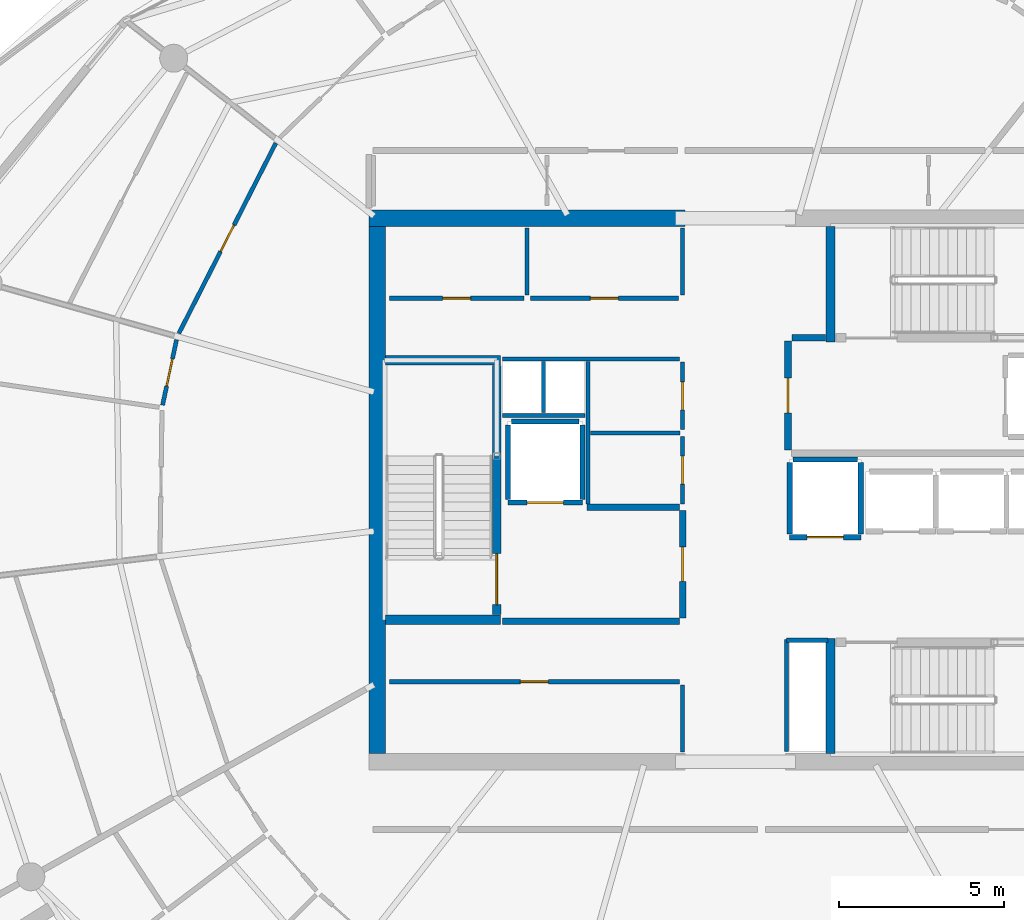
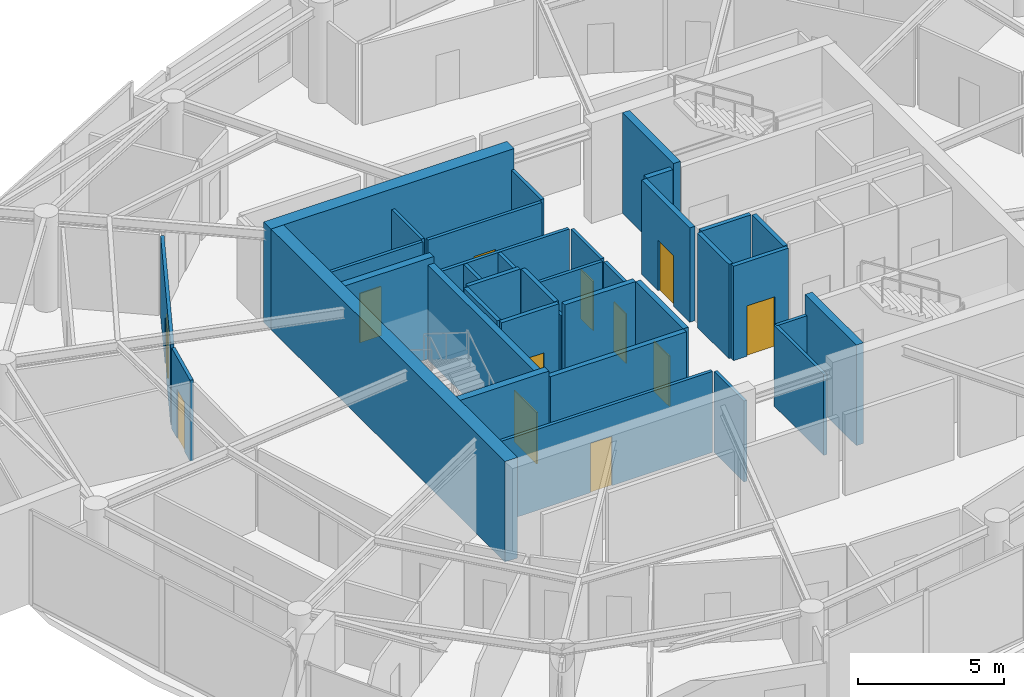
# One storey, part 11 of 20: 37 walls, 12 doors, 12 openings.
"""IFC4 building model written with IfcOpenShell, lengths in metres."""

from ifc_helpers import new_model, si_unit, direction, frame, frame_2d, origin, place, context, subcontext, project, spatial, rectangle, extrude, material, layer, layer_set, type_object, element, fill, save


model = new_model("IFC4")

# Units and contexts
model_context = context("Model", 3, precision=1e-05, world=origin(), true_north=direction((0.0, 1.0)))
body_context = subcontext(model_context, "Body", "Model", "MODEL_VIEW")
ifc_project = project(units=[si_unit("LENGTHUNIT", "METRE"), si_unit("AREAUNIT", "SQUARE_METRE"), si_unit("VOLUMEUNIT", "CUBIC_METRE"), si_unit("PLANEANGLEUNIT", "RADIAN"), si_unit("MASSUNIT", "GRAM", prefix="KILO")], contexts=[model_context])

# Site, building, storey
site_placement = place(None, origin())
site = spatial("IfcSite", under=ifc_project, at=site_placement, CompositionType="ELEMENT")
building_placement = place(site_placement, origin())
building = spatial("IfcBuilding", under=site, at=building_placement, Name="Kazma Halo Residences", CompositionType="ELEMENT")
storey_placement = place(building_placement, frame((0.0, 0.0, 317.89990234375)))
storey = spatial("IfcBuildingStorey", under=building, at=storey_placement, Name="L80", CompositionType="ELEMENT", Elevation=317.89990234375)

# Walls
ifc_material_1 = material(Name="Concrete C60/75", Category="concrete")
ifc_layer_1 = layer(ifc_material_1, 0.5)
ifc_layer_set_1 = layer_set([ifc_layer_1], Name="Concrete C60/75")
wall_type_1 = type_object("IfcWallType", Name="WL-CORE-500", PredefinedType="SHEAR", material=ifc_layer_set_1)
wall_1_placement = place(storey_placement, frame((37.300048828125, 50.25, 0.0), z_axis=(0.0, 0.0, 1.0), x_axis=(1.0, 0.0, 0.0)))
element("IfcWall", 1, at=wall_1_placement, inside=storey, type_object=wall_type_1, Name="L80 central core shear wall NW", PredefinedType="SHEAR", context=body_context, shape_type="SweptSolid", body=[
    extrude(rectangle(XDim=9.599853515625, YDim=0.5, at=frame_2d((4.7998046875, 0.0))), origin(), (0.0, 0.0, 1.0), 4.2001953125),
])
wall_2_placement = place(storey_placement, frame((37.550048828125, 34.0, 0.0), z_axis=(0.0, 0.0, 1.0), x_axis=(0.0, 1.0, 0.0)))
element("IfcWall", 2, at=wall_2_placement, inside=storey, type_object=wall_type_1, Name="L80 central core shear wall W", PredefinedType="SHEAR", context=body_context, shape_type="SweptSolid", body=[
    extrude(rectangle(XDim=16.0, YDim=0.5, at=frame_2d((8.0, 0.0))), origin(), (0.0, 0.0, 1.0), 4.2001953125),
])
ifc_layer_2 = layer(ifc_material_1, 0.280029296875)
ifc_layer_set_2 = layer_set([ifc_layer_2], Name="Concrete C60/75")
wall_type_2 = type_object("IfcWallType", Name="WL-CORE-ST-280", PredefinedType="SHEAR", material=ifc_layer_set_2)
for number, where, z_axis, x_axis, name in (
    (3, (37.800048828125, 38.06005859375, 0.0), (0.0, 0.0, 1.0), (1.0, 0.0, 0.0), "L80 stairwell bearing wall ST01-S"),
    (4, (37.800048828125, 45.93994140625, 0.0), (0.0, 0.0, 1.0), (1.0, 0.0, 0.0), "L80 stairwell bearing wall ST01-N"),
    (5, (51.31005859375, 46.5, 0.0), (0.0, 0.0, 1.0), (0.0, 1.0, 0.0), "L80 stairwell bearing wall ST02-W"),
    (6, (51.31005859375, 34.0, 0.0), (0.0, 0.0, 1.0), (0.0, 1.0, 0.0), "L80 stairwell bearing wall ST03-W"),
):
    element("IfcWall", number, at=place(storey_placement, frame(where, z_axis=z_axis, x_axis=x_axis)), inside=storey, type_object=wall_type_2, Name=name, PredefinedType="SHEAR", context=body_context, shape_type="SweptSolid", body=[
        extrude(rectangle(XDim=3.5, YDim=0.280029296875, at=frame_2d((1.75, 0.0))), origin(), (0.0, 0.0, 1.0), 4.2001953125),
    ])

# Wall, opening, door
ifc_material_2 = material(Name="Fire-Rated Blockwork Masonry", Category="masonry")
ifc_layer_3 = layer(ifc_material_2, 0.199951171875)
ifc_layer_set_3 = layer_set([ifc_layer_3], Name="Fire-Rated Blockwork Masonry")
wall_type_3 = type_object("IfcWallType", Name="WL-FLB-200", PredefinedType="PARTITIONING", material=ifc_layer_set_3)
wall_3_placement = place(storey_placement, frame((43.780029296875, 41.6201171875, 0.0), z_axis=(0.0, 0.0, 1.0), x_axis=(-1.0, 0.0, 0.0)))
wall_3 = element("IfcWall", 7, at=wall_3_placement, inside=storey, type_object=wall_type_3, Name="L80 lift shaft FL-01 front wall", PredefinedType="PARTITIONING", context=body_context, shape_type="SweptSolid", body=[
    extrude(rectangle(XDim=2.260009765625, YDim=0.159912109375, at=frame_2d((1.1298828125, 0.0))), origin(), (0.0, 0.0, 1.0), 3.940185546875),
])
opening_1_placement = place(wall_3_placement, frame((0.580078125, 0.0, 0.0)))
opening_1 = element("IfcOpeningElement", 8, at=opening_1_placement, cuts=wall_3, Name="Opening LD-FL-01", PredefinedType="OPENING", context=body_context, shape_type="SweptSolid", body=[
    extrude(rectangle(XDim=1.10009765625, YDim=2.10009765625, at=frame_2d((0.550048828125, 1.050048828125))), frame((0.0, 0.08984375, 0.0), z_axis=(0.0, -1.0, 0.0), x_axis=(1.0, 0.0, 0.0)), (0.0, 0.0, 1.0), 0.179931640625),
])
ifc_material_3 = material(Name="Stainless Steel Fire-Rated", Category="steel")
door_type_1 = type_object("IfcDoorType", Name="DR-LIFT-SLD-1100", OperationType="DOUBLE_DOOR_SLIDING", PredefinedType="DOOR", material=ifc_material_3)
door_1_placement = place(opening_1_placement, origin())
door_1 = element("IfcDoor", 9, at=door_1_placement, inside=storey, type_object=door_type_1, Name="L80 lift FL-01 sliding landing door", OperationType="DOUBLE_DOOR_SLIDING", OverallHeight=2.10009765625, OverallWidth=1.10009765625, PredefinedType="DOOR", context=body_context, shape_type="SweptSolid", body=[
    extrude(rectangle(XDim=1.10009765625, YDim=2.10009765625, at=frame_2d((0.550048828125, 1.050048828125))), frame((0.0, 0.02490234375, 0.0), z_axis=(0.0, -1.0, 0.0), x_axis=(1.0, 0.0, 0.0)), (0.0, 0.0, 1.0), 0.050048828125),
])
fill(opening_1, door_1)

# Walls
for number, where, z_axis, x_axis, name in (
    (10, (43.780029296875, 41.719970703125, 0.0), (0.0, 0.0, 1.0), (0.0, 1.0, 0.0), "L80 lift shaft FL-01 side wall E"),
    (11, (41.52001953125, 41.719970703125, 0.0), (0.0, 0.0, 1.0), (0.0, 1.0, 0.0), "L80 lift shaft FL-01 side wall W"),
):
    element("IfcWall", number, at=place(storey_placement, frame(where, z_axis=z_axis, x_axis=x_axis)), inside=storey, type_object=wall_type_3, Name=name, PredefinedType="PARTITIONING", context=body_context, shape_type="SweptSolid", body=[
        extrude(rectangle(XDim=2.260009765625, YDim=0.159912109375, at=frame_2d((1.1298828125, 0.0))), origin(), (0.0, 0.0, 1.0), 3.940185546875),
    ])
wall_4_placement = place(storey_placement, frame((41.6201171875, 44.080078125, 0.0), z_axis=(0.0, 0.0, 1.0), x_axis=(1.0, 0.0, 0.0)))
element("IfcWall", 12, at=wall_4_placement, inside=storey, type_object=wall_type_3, Name="L80 lift shaft FL-01 side wall N", PredefinedType="PARTITIONING", context=body_context, shape_type="SweptSolid", body=[
    extrude(rectangle(XDim=2.059814453125, YDim=0.159912109375, at=frame_2d((1.02978515625, 0.0))), origin(), (0.0, 0.0, 1.0), 3.940185546875),
])

# Wall, opening, door
wall_5_placement = place(storey_placement, frame((52.22998046875, 40.570068359375, 0.0), z_axis=(0.0, 0.0, 1.0), x_axis=(-1.0, 0.0, 0.0)))
wall_5 = element("IfcWall", 13, at=wall_5_placement, inside=storey, type_object=wall_type_3, Name="L80 lift shaft SV-01 front wall", PredefinedType="PARTITIONING", context=body_context, shape_type="SweptSolid", body=[
    extrude(rectangle(XDim=2.159912109375, YDim=0.159912109375, at=frame_2d((1.080078125, 0.0))), origin(), (0.0, 0.0, 1.0), 3.940185546875),
])
opening_2_placement = place(wall_5_placement, frame((0.530029296875, 0.0, 0.0)))
opening_2 = element("IfcOpeningElement", 14, at=opening_2_placement, cuts=wall_5, Name="Opening LD-SV-01", PredefinedType="OPENING", context=body_context, shape_type="SweptSolid", body=[
    extrude(rectangle(XDim=1.10009765625, YDim=2.10009765625, at=frame_2d((0.550048828125, 1.050048828125))), frame((0.0, 0.08984375, 0.0), z_axis=(0.0, -1.0, 0.0), x_axis=(1.0, 0.0, 0.0)), (0.0, 0.0, 1.0), 0.179931640625),
])
door_2_placement = place(opening_2_placement, origin())
door_2 = element("IfcDoor", 15, at=door_2_placement, inside=storey, type_object=door_type_1, Name="L80 lift SV-01 sliding landing door", OperationType="DOUBLE_DOOR_SLIDING", OverallHeight=2.10009765625, OverallWidth=1.10009765625, PredefinedType="DOOR", context=body_context, shape_type="SweptSolid", body=[
    extrude(rectangle(XDim=1.10009765625, YDim=2.10009765625, at=frame_2d((0.550048828125, 1.050048828125))), frame((0.0, 0.02490234375, 0.0), z_axis=(0.0, -1.0, 0.0), x_axis=(1.0, 0.0, 0.0)), (0.0, 0.0, 1.0), 0.050048828125),
])
fill(opening_2, door_2)

# Walls
for number, where, z_axis, x_axis, name in (
    (16, (52.22998046875, 40.669921875, 0.0), (0.0, 0.0, 1.0), (0.0, 1.0, 0.0), "L80 lift shaft SV-01 side wall E"),
    (17, (50.070068359375, 40.669921875, 0.0), (0.0, 0.0, 1.0), (0.0, 1.0, 0.0), "L80 lift shaft SV-01 side wall W"),
):
    element("IfcWall", number, at=place(storey_placement, frame(where, z_axis=z_axis, x_axis=x_axis)), inside=storey, type_object=wall_type_3, Name=name, PredefinedType="PARTITIONING", context=body_context, shape_type="SweptSolid", body=[
        extrude(rectangle(XDim=2.16015625, YDim=0.159912109375, at=frame_2d((1.080078125, 0.0))), origin(), (0.0, 0.0, 1.0), 3.940185546875),
    ])
wall_6_placement = place(storey_placement, frame((50.169921875, 42.929931640625, 0.0), z_axis=(0.0, 0.0, 1.0), x_axis=(1.0, 0.0, 0.0)))
element("IfcWall", 18, at=wall_6_placement, inside=storey, type_object=wall_type_3, Name="L80 lift shaft SV-01 side wall N", PredefinedType="PARTITIONING", context=body_context, shape_type="SweptSolid", body=[
    extrude(rectangle(XDim=1.9599609375, YDim=0.159912109375, at=frame_2d((0.97998046875, 0.0))), origin(), (0.0, 0.0, 1.0), 3.940185546875),
])
wall_7_placement = place(storey_placement, frame((41.35009765625, 38.02001953125, 0.0), z_axis=(0.0, 0.0, 1.0), x_axis=(1.0, 0.0, 0.0)))
element("IfcWall", 19, at=wall_7_placement, inside=storey, type_object=wall_type_3, Name="L80 west firefighting lobby south smoke wall", PredefinedType="PARTITIONING", context=body_context, shape_type="SweptSolid", body=[
    extrude(rectangle(XDim=5.369873046875, YDim=0.199951171875, at=frame_2d((2.68505859375, 0.0))), origin(), (0.0, 0.0, 1.0), 3.940185546875),
])
wall_8_placement = place(storey_placement, frame((43.919921875, 41.47998046875, 0.0), z_axis=(0.0, 0.0, 1.0), x_axis=(1.0, 0.0, 0.0)))
element("IfcWall", 20, at=wall_8_placement, inside=storey, type_object=wall_type_3, Name="L80 west firefighting lobby north smoke wall", PredefinedType="PARTITIONING", context=body_context, shape_type="SweptSolid", body=[
    extrude(rectangle(XDim=2.800048828125, YDim=0.199951171875, at=frame_2d((1.39990234375, 0.0))), origin(), (0.0, 0.0, 1.0), 3.940185546875),
])

# Wall, opening, door
wall_9_placement = place(storey_placement, frame((46.820068359375, 38.1201171875, 0.0), z_axis=(0.0, 0.0, 1.0), x_axis=(0.0, 1.0, 0.0)))
wall_9 = element("IfcWall", 21, at=wall_9_placement, inside=storey, type_object=wall_type_3, Name="L80 west firefighting lobby smoke wall", PredefinedType="PARTITIONING", context=body_context, shape_type="SweptSolid", body=[
    extrude(rectangle(XDim=3.259765625, YDim=0.199951171875, at=frame_2d((1.6298828125, 0.0))), origin(), (0.0, 0.0, 1.0), 3.940185546875),
])
opening_3_placement = place(wall_9_placement, frame((1.10498046875, 0.0, 0.0)))
opening_3 = element("IfcOpeningElement", 22, at=opening_3_placement, cuts=wall_9, Name="Opening D-FLW", PredefinedType="OPENING", context=body_context, shape_type="SweptSolid", body=[
    extrude(rectangle(XDim=1.050048828125, YDim=2.10009765625, at=frame_2d((0.52490234375, 1.050048828125))), frame((0.0, 0.10986328125, 0.0), z_axis=(0.0, -1.0, 0.0), x_axis=(1.0, 0.0, 0.0)), (0.0, 0.0, 1.0), 0.219970703125),
])
ifc_material_4 = material(Name="Fire-Rated Steel Leaf", Category="steel")
door_type_2 = type_object("IfcDoorType", Name="DR-FD90-1050", OperationType="NOTDEFINED", PredefinedType="DOOR", material=ifc_material_4)
door_3_placement = place(opening_3_placement, origin())
door_3 = element("IfcDoor", 23, at=door_3_placement, inside=storey, type_object=door_type_2, Name="L80 west firefighting lobby smoke door", OperationType="SINGLE_SWING_LEFT", OverallHeight=2.10009765625, OverallWidth=1.050048828125, PredefinedType="DOOR", context=body_context, shape_type="SweptSolid", body=[
    extrude(rectangle(XDim=1.050048828125, YDim=2.10009765625, at=frame_2d((0.52490234375, 1.050048828125))), frame((0.0, 0.02490234375, 0.0), z_axis=(0.0, -1.0, 0.0), x_axis=(1.0, 0.0, 0.0)), (0.0, 0.0, 1.0), 0.050048828125),
])
fill(opening_3, door_3)

# Wall
wall_10_placement = place(storey_placement, frame((50.139892578125, 46.6201171875, 0.0), z_axis=(0.0, 0.0, 1.0), x_axis=(1.0, 0.0, 0.0)))
element("IfcWall", 24, at=wall_10_placement, inside=storey, type_object=wall_type_3, Name="L80 east firefighting lobby north closure wall", PredefinedType="PARTITIONING", context=body_context, shape_type="SweptSolid", body=[
    extrude(rectangle(XDim=1.02001953125, YDim=0.199951171875, at=frame_2d((0.510009765625, 0.0))), origin(), (0.0, 0.0, 1.0), 3.940185546875),
])

# Wall, opening, door
wall_11_placement = place(storey_placement, frame((50.02001953125, 43.219970703125, 0.0), z_axis=(0.0, 0.0, 1.0), x_axis=(0.0, 1.0, 0.0)))
wall_11 = element("IfcWall", 25, at=wall_11_placement, inside=storey, type_object=wall_type_3, Name="L80 east firefighting lobby smoke wall", PredefinedType="PARTITIONING", context=body_context, shape_type="SweptSolid", body=[
    extrude(rectangle(XDim=3.300048828125, YDim=0.199951171875, at=frame_2d((1.64990234375, 0.0))), origin(), (0.0, 0.0, 1.0), 3.940185546875),
])
opening_4_placement = place(wall_11_placement, frame((1.125, 0.0, 0.0)))
opening_4 = element("IfcOpeningElement", 26, at=opening_4_placement, cuts=wall_11, Name="Opening D-FLE", PredefinedType="OPENING", context=body_context, shape_type="SweptSolid", body=[
    extrude(rectangle(XDim=1.050048828125, YDim=2.10009765625, at=frame_2d((0.52490234375, 1.050048828125))), frame((0.0, 0.10986328125, 0.0), z_axis=(0.0, -1.0, 0.0), x_axis=(1.0, 0.0, 0.0)), (0.0, 0.0, 1.0), 0.219970703125),
])
door_4_placement = place(opening_4_placement, origin())
door_4 = element("IfcDoor", 27, at=door_4_placement, inside=storey, type_object=door_type_2, Name="L80 east firefighting lobby smoke door", OperationType="SINGLE_SWING_RIGHT", OverallHeight=2.10009765625, OverallWidth=1.050048828125, PredefinedType="DOOR", context=body_context, shape_type="SweptSolid", body=[
    extrude(rectangle(XDim=1.050048828125, YDim=2.10009765625, at=frame_2d((0.52490234375, 1.050048828125))), frame((0.0, 0.02490234375, 0.0), z_axis=(0.0, -1.0, 0.0), x_axis=(1.0, 0.0, 0.0)), (0.0, 0.0, 1.0), 0.050048828125),
])
fill(opening_4, door_4)

# Wall
ifc_material_5 = material(Name="Gypsum Plasterboard Partition")
ifc_layer_4 = layer(ifc_material_5, 0.125)
ifc_layer_set_4 = layer_set([ifc_layer_4], Name="Gypsum Plasterboard Partition")
wall_type_4 = type_object("IfcWallType", Name="WL-PART-125", PredefinedType="PARTITIONING", material=ifc_layer_set_4)
wall_12_placement = place(storey_placement, frame((46.820068359375, 34.050048828125, 0.0), z_axis=(0.0, 0.0, 1.0), x_axis=(0.0, 1.0, 0.0)))
element("IfcWall", 28, at=wall_12_placement, inside=storey, type_object=wall_type_4, Name="L80 reclaimed south east wall", PredefinedType="PARTITIONING", context=body_context, shape_type="SweptSolid", body=[
    extrude(rectangle(XDim=2.030029296875, YDim=0.125, at=frame_2d((1.01513671875, 0.0))), origin(), (0.0, 0.0, 1.0), 3.380126953125),
])

# Wall, opening, door
wall_13_placement = place(storey_placement, frame((37.919921875, 36.179931640625, 0.0), z_axis=(0.0, 0.0, 1.0), x_axis=(1.0, 0.0, 0.0)))
wall_13 = element("IfcWall", 29, at=wall_13_placement, inside=storey, type_object=wall_type_4, Name="L80 reclaimed south front wall", PredefinedType="PARTITIONING", context=body_context, shape_type="SweptSolid", body=[
    extrude(rectangle(XDim=8.800048828125, YDim=0.125, at=frame_2d((4.39990234375, 0.0))), origin(), (0.0, 0.0, 1.0), 3.380126953125),
])
opening_5_placement = place(wall_13_placement, frame((3.97509765625, 0.0, 0.0)))
opening_5 = element("IfcOpeningElement", 30, at=opening_5_placement, cuts=wall_13, Name="Opening DS-850", PredefinedType="OPENING", context=body_context, shape_type="SweptSolid", body=[
    extrude(rectangle(XDim=0.85009765625, YDim=2.06005859375, at=frame_2d((0.425048828125, 1.030029296875))), frame((0.0, 0.072509765625, 0.0), z_axis=(0.0, -1.0, 0.0), x_axis=(1.0, 0.0, 0.0)), (0.0, 0.0, 1.0), 0.14501953125),
])
ifc_material_6 = material(Name="Painted Steel Access Leaf", Category="steel")
door_type_3 = type_object("IfcDoorType", Name="DR-SVC-850", OperationType="NOTDEFINED", PredefinedType="DOOR", material=ifc_material_6)
door_5_placement = place(opening_5_placement, origin())
door_5 = element("IfcDoor", 31, at=door_5_placement, inside=storey, type_object=door_type_3, Name="L80 reclaimed south service door", OperationType="SINGLE_SWING_LEFT", OverallHeight=2.06005859375, OverallWidth=0.85009765625, PredefinedType="DOOR", context=body_context, shape_type="SweptSolid", body=[
    extrude(rectangle(XDim=0.85009765625, YDim=2.06005859375, at=frame_2d((0.425048828125, 1.030029296875))), frame((0.0, 0.02490234375, 0.0), z_axis=(0.0, -1.0, 0.0), x_axis=(1.0, 0.0, 0.0)), (0.0, 0.0, 1.0), 0.050048828125),
])
fill(opening_5, door_5)

# Walls
for number, where, z_axis, x_axis, name in (
    (32, (46.820068359375, 47.919921875, 0.0), (0.0, 0.0, 1.0), (0.0, 1.0, 0.0), "L80 reclaimed north east wall"),
    (33, (42.10009765625, 47.919921875, 0.0), (0.0, 0.0, 1.0), (0.0, 1.0, 0.0), "L80 reclaimed north divider wall"),
):
    element("IfcWall", number, at=place(storey_placement, frame(where, z_axis=z_axis, x_axis=x_axis)), inside=storey, type_object=wall_type_4, Name=name, PredefinedType="PARTITIONING", context=body_context, shape_type="SweptSolid", body=[
        extrude(rectangle(XDim=2.030029296875, YDim=0.125, at=frame_2d((1.01513671875, 0.0))), origin(), (0.0, 0.0, 1.0), 3.380126953125),
    ])

# Wall, opening, door
wall_14_placement = place(storey_placement, frame((37.919921875, 47.820068359375, 0.0), z_axis=(0.0, 0.0, 1.0), x_axis=(1.0, 0.0, 0.0)))
wall_14 = element("IfcWall", 34, at=wall_14_placement, inside=storey, type_object=wall_type_4, Name="L80 reclaimed north W front wall", PredefinedType="PARTITIONING", context=body_context, shape_type="SweptSolid", body=[
    extrude(rectangle(XDim=4.080078125, YDim=0.125, at=frame_2d((2.0400390625, 0.0))), origin(), (0.0, 0.0, 1.0), 3.380126953125),
])
opening_6_placement = place(wall_14_placement, frame((1.614990234375, 0.0, 0.0)))
opening_6 = element("IfcOpeningElement", 35, at=opening_6_placement, cuts=wall_14, Name="Opening DS-850", PredefinedType="OPENING", context=body_context, shape_type="SweptSolid", body=[
    extrude(rectangle(XDim=0.85009765625, YDim=2.06005859375, at=frame_2d((0.425048828125, 1.030029296875))), frame((0.0, 0.072509765625, 0.0), z_axis=(0.0, -1.0, 0.0), x_axis=(1.0, 0.0, 0.0)), (0.0, 0.0, 1.0), 0.14501953125),
])
door_6_placement = place(opening_6_placement, origin())
door_6 = element("IfcDoor", 36, at=door_6_placement, inside=storey, type_object=door_type_3, Name="L80 reclaimed north W door", OperationType="SINGLE_SWING_RIGHT", OverallHeight=2.06005859375, OverallWidth=0.85009765625, PredefinedType="DOOR", context=body_context, shape_type="SweptSolid", body=[
    extrude(rectangle(XDim=0.85009765625, YDim=2.06005859375, at=frame_2d((0.425048828125, 1.030029296875))), frame((0.0, 0.02490234375, 0.0), z_axis=(0.0, -1.0, 0.0), x_axis=(1.0, 0.0, 0.0)), (0.0, 0.0, 1.0), 0.050048828125),
])
fill(opening_6, door_6)

wall_15_placement = place(storey_placement, frame((42.199951171875, 47.820068359375, 0.0), z_axis=(0.0, 0.0, 1.0), x_axis=(1.0, 0.0, 0.0)))
wall_15 = element("IfcWall", 37, at=wall_15_placement, inside=storey, type_object=wall_type_4, Name="L80 reclaimed north E front wall", PredefinedType="PARTITIONING", context=body_context, shape_type="SweptSolid", body=[
    extrude(rectangle(XDim=4.5, YDim=0.125, at=frame_2d((2.25, 0.0))), origin(), (0.0, 0.0, 1.0), 3.380126953125),
])
opening_7_placement = place(wall_15_placement, frame((1.824951171875, 0.0, 0.0)))
opening_7 = element("IfcOpeningElement", 38, at=opening_7_placement, cuts=wall_15, Name="Opening DS-850", PredefinedType="OPENING", context=body_context, shape_type="SweptSolid", body=[
    extrude(rectangle(XDim=0.85009765625, YDim=2.06005859375, at=frame_2d((0.425048828125, 1.030029296875))), frame((0.0, 0.072509765625, 0.0), z_axis=(0.0, -1.0, 0.0), x_axis=(1.0, 0.0, 0.0)), (0.0, 0.0, 1.0), 0.14501953125),
])
door_7_placement = place(opening_7_placement, origin())
door_7 = element("IfcDoor", 39, at=door_7_placement, inside=storey, type_object=door_type_3, Name="L80 reclaimed north E door", OperationType="SINGLE_SWING_LEFT", OverallHeight=2.06005859375, OverallWidth=0.85009765625, PredefinedType="DOOR", context=body_context, shape_type="SweptSolid", body=[
    extrude(rectangle(XDim=0.85009765625, YDim=2.06005859375, at=frame_2d((0.425048828125, 1.030029296875))), frame((0.0, 0.02490234375, 0.0), z_axis=(0.0, -1.0, 0.0), x_axis=(1.0, 0.0, 0.0)), (0.0, 0.0, 1.0), 0.050048828125),
])
fill(opening_7, door_7)

# Walls
wall_16_placement = place(storey_placement, frame((41.360107421875, 45.97998046875, 0.0), z_axis=(0.0, 0.0, 1.0), x_axis=(1.0, 0.0, 0.0)))
element("IfcWall", 40, at=wall_16_placement, inside=storey, type_object=wall_type_4, Name="L80 core north riser wall", PredefinedType="PARTITIONING", context=body_context, shape_type="SweptSolid", body=[
    extrude(rectangle(XDim=5.35986328125, YDim=0.125, at=frame_2d((2.679931640625, 0.0))), origin(), (0.0, 0.0, 1.0), 3.380126953125),
])
wall_17_placement = place(storey_placement, frame((41.360107421875, 44.260009765625, 0.0), z_axis=(0.0, 0.0, 1.0), x_axis=(1.0, 0.0, 0.0)))
element("IfcWall", 41, at=wall_17_placement, inside=storey, type_object=wall_type_4, Name="L80 core riser south wall", PredefinedType="PARTITIONING", context=body_context, shape_type="SweptSolid", body=[
    extrude(rectangle(XDim=2.5, YDim=0.125, at=frame_2d((1.25, 0.0))), origin(), (0.0, 0.0, 1.0), 3.380126953125),
])
wall_18_placement = place(storey_placement, frame((42.60009765625, 44.35009765625, 0.0), z_axis=(0.0, 0.0, 1.0), x_axis=(0.0, 1.0, 0.0)))
element("IfcWall", 42, at=wall_18_placement, inside=storey, type_object=wall_type_4, Name="L80 core riser divider wall", PredefinedType="PARTITIONING", context=body_context, shape_type="SweptSolid", body=[
    extrude(rectangle(XDim=1.5498046875, YDim=0.125, at=frame_2d((0.77490234375, 0.0))), origin(), (0.0, 0.0, 1.0), 3.380126953125),
])
wall_19_placement = place(storey_placement, frame((49.97998046875, 34.06005859375, 0.0), z_axis=(0.0, 0.0, 1.0), x_axis=(0.0, 1.0, 0.0)))
element("IfcWall", 43, at=wall_19_placement, inside=storey, type_object=wall_type_4, Name="L80 standpipe riser wall", PredefinedType="PARTITIONING", context=body_context, shape_type="SweptSolid", body=[
    extrude(rectangle(XDim=3.39990234375, YDim=0.125, at=frame_2d((1.699951171875, 0.0))), origin(), (0.0, 0.0, 1.0), 3.380126953125),
])
wall_20_placement = place(storey_placement, frame((49.97998046875, 37.43994140625, 0.0), z_axis=(0.0, 0.0, 1.0), x_axis=(1.0, 0.0, 0.0)))
element("IfcWall", 44, at=wall_20_placement, inside=storey, type_object=wall_type_4, Name="L80 standpipe riser north wall", PredefinedType="PARTITIONING", context=body_context, shape_type="SweptSolid", body=[
    extrude(rectangle(XDim=1.260009765625, YDim=0.125, at=frame_2d((0.6298828125, 0.0))), origin(), (0.0, 0.0, 1.0), 3.380126953125),
])
wall_21_placement = place(storey_placement, frame((43.949951171875, 41.580078125, 0.0), z_axis=(0.0, 0.0, 1.0), x_axis=(0.0, 1.0, 0.0)))
element("IfcWall", 45, at=wall_21_placement, inside=storey, type_object=wall_type_4, Name="L80 core service west wall", PredefinedType="PARTITIONING", context=body_context, shape_type="SweptSolid", body=[
    extrude(rectangle(XDim=4.31982421875, YDim=0.125, at=frame_2d((2.159912109375, 0.0))), origin(), (0.0, 0.0, 1.0), 3.380126953125),
])
wall_22_placement = place(storey_placement, frame((44.030029296875, 43.72998046875, 0.0), z_axis=(0.0, 0.0, 1.0), x_axis=(1.0, 0.0, 0.0)))
element("IfcWall", 46, at=wall_22_placement, inside=storey, type_object=wall_type_4, Name="L80 switch/IDF divider", PredefinedType="PARTITIONING", context=body_context, shape_type="SweptSolid", body=[
    extrude(rectangle(XDim=2.7099609375, YDim=0.125, at=frame_2d((1.35498046875, 0.0))), origin(), (0.0, 0.0, 1.0), 3.380126953125),
])

# Wall, opening, door
wall_23_placement = place(storey_placement, frame((46.820068359375, 41.580078125, 0.0), z_axis=(0.0, 0.0, 1.0), x_axis=(0.0, 1.0, 0.0)))
wall_23 = element("IfcWall", 47, at=wall_23_placement, inside=storey, type_object=wall_type_4, Name="L80 electrical switch room east wall", PredefinedType="PARTITIONING", context=body_context, shape_type="SweptSolid", body=[
    extrude(rectangle(XDim=2.0498046875, YDim=0.125, at=frame_2d((1.02490234375, 0.0))), origin(), (0.0, 0.0, 1.0), 3.380126953125),
])
opening_8_placement = place(wall_23_placement, frame((0.60009765625, 0.0, 0.0)))
opening_8 = element("IfcOpeningElement", 48, at=opening_8_placement, cuts=wall_23, Name="Opening DS-850", PredefinedType="OPENING", context=body_context, shape_type="SweptSolid", body=[
    extrude(rectangle(XDim=0.85009765625, YDim=2.06005859375, at=frame_2d((0.425048828125, 1.030029296875))), frame((0.0, 0.072509765625, 0.0), z_axis=(0.0, -1.0, 0.0), x_axis=(1.0, 0.0, 0.0)), (0.0, 0.0, 1.0), 0.14501953125),
])
door_8_placement = place(opening_8_placement, origin())
door_8 = element("IfcDoor", 49, at=door_8_placement, inside=storey, type_object=door_type_3, Name="L80 electrical switch room door", OperationType="SINGLE_SWING_LEFT", OverallHeight=2.06005859375, OverallWidth=0.85009765625, PredefinedType="DOOR", context=body_context, shape_type="SweptSolid", body=[
    extrude(rectangle(XDim=0.85009765625, YDim=2.06005859375, at=frame_2d((0.425048828125, 1.030029296875))), frame((0.0, 0.02490234375, 0.0), z_axis=(0.0, -1.0, 0.0), x_axis=(1.0, 0.0, 0.0)), (0.0, 0.0, 1.0), 0.050048828125),
])
fill(opening_8, door_8)

wall_24_placement = place(storey_placement, frame((46.820068359375, 43.830078125, 0.0), z_axis=(0.0, 0.0, 1.0), x_axis=(0.0, 1.0, 0.0)))
wall_24 = element("IfcWall", 50, at=wall_24_placement, inside=storey, type_object=wall_type_4, Name="L80 telecom IDF room east wall", PredefinedType="PARTITIONING", context=body_context, shape_type="SweptSolid", body=[
    extrude(rectangle(XDim=2.0498046875, YDim=0.125, at=frame_2d((1.02490234375, 0.0))), origin(), (0.0, 0.0, 1.0), 3.380126953125),
])
opening_9_placement = place(wall_24_placement, frame((0.60009765625, 0.0, 0.0)))
opening_9 = element("IfcOpeningElement", 51, at=opening_9_placement, cuts=wall_24, Name="Opening DS-850", PredefinedType="OPENING", context=body_context, shape_type="SweptSolid", body=[
    extrude(rectangle(XDim=0.85009765625, YDim=2.06005859375, at=frame_2d((0.425048828125, 1.030029296875))), frame((0.0, 0.072509765625, 0.0), z_axis=(0.0, -1.0, 0.0), x_axis=(1.0, 0.0, 0.0)), (0.0, 0.0, 1.0), 0.14501953125),
])
door_9_placement = place(opening_9_placement, origin())
door_9 = element("IfcDoor", 52, at=door_9_placement, inside=storey, type_object=door_type_3, Name="L80 telecom IDF room door", OperationType="SINGLE_SWING_RIGHT", OverallHeight=2.06005859375, OverallWidth=0.85009765625, PredefinedType="DOOR", context=body_context, shape_type="SweptSolid", body=[
    extrude(rectangle(XDim=0.85009765625, YDim=2.06005859375, at=frame_2d((0.425048828125, 1.030029296875))), frame((0.0, 0.02490234375, 0.0), z_axis=(0.0, -1.0, 0.0), x_axis=(1.0, 0.0, 0.0)), (0.0, 0.0, 1.0), 0.050048828125),
])
fill(opening_9, door_9)

wall_25_placement = place(storey_placement, frame((34.4716796875, 52.527587890625, 0.0), z_axis=(0.0, 0.0, 1.0), x_axis=(-0.453985634683, -0.891009003042, 0.0)))
wall_25 = element("IfcWall", 53, at=wall_25_placement, inside=storey, type_object=wall_type_4, Name="L80 Penthouse 1 South Study hall wall", PredefinedType="PARTITIONING", context=body_context, shape_type="SweptSolid", body=[
    extrude(rectangle(XDim=6.476806640625, YDim=0.125, at=frame_2d((3.23828125, 0.0))), origin(), (0.0, 0.0, 1.0), 3.380126953125),
])
opening_10_placement = place(wall_25_placement, frame((2.788330078125, 0.0, 0.0)))
opening_10 = element("IfcOpeningElement", 54, at=opening_10_placement, cuts=wall_25, Name="Opening DI-950", PredefinedType="OPENING", context=body_context, shape_type="SweptSolid", body=[
    extrude(rectangle(XDim=0.89990234375, YDim=2.080078125, at=frame_2d((0.449951171875, 1.0400390625))), frame((0.0, 0.072509765625, 0.0), z_axis=(0.0, -1.0, 0.0), x_axis=(1.0, 0.0, 0.0)), (0.0, 0.0, 1.0), 0.14501953125),
])
ifc_material_7 = material(Name="Timber Veneer Flush Leaf", Category="wood")
door_type_4 = type_object("IfcDoorType", Name="DR-INT-950", OperationType="NOTDEFINED", PredefinedType="DOOR", material=ifc_material_7)
door_10_placement = place(opening_10_placement, origin())
door_10 = element("IfcDoor", 55, at=door_10_placement, inside=storey, type_object=door_type_4, Name="L80 Penthouse 1 South Study door", OperationType="SINGLE_SWING_RIGHT", OverallHeight=2.080078125, OverallWidth=0.89990234375, PredefinedType="DOOR", context=body_context, shape_type="SweptSolid", body=[
    extrude(rectangle(XDim=0.89990234375, YDim=2.080078125, at=frame_2d((0.449951171875, 1.0400390625))), frame((0.0, 0.02490234375, 0.0), z_axis=(0.0, -1.0, 0.0), x_axis=(1.0, 0.0, 0.0)), (0.0, 0.0, 1.0), 0.050048828125),
])
fill(opening_10, door_10)

wall_26_placement = place(storey_placement, frame((31.46044921875, 46.560791015625, 0.0), z_axis=(0.0, 0.0, 1.0), x_axis=(-0.208871695371, -0.977943052981, 0.0)))
wall_26 = element("IfcWall", 56, at=wall_26_placement, inside=storey, type_object=wall_type_4, Name="L80 Penthouse 1 Outer Wine Pantry Store hall wall", PredefinedType="PARTITIONING", context=body_context, shape_type="SweptSolid", body=[
    extrude(rectangle(XDim=2.029052734375, YDim=0.125, at=frame_2d((1.0146484375, 0.0))), origin(), (0.0, 0.0, 1.0), 3.380126953125),
])
opening_11_placement = place(wall_26_placement, frame((0.589599609375, 0.0, 0.0)))
opening_11 = element("IfcOpeningElement", 57, at=opening_11_placement, cuts=wall_26, Name="Opening DB-900", PredefinedType="OPENING", context=body_context, shape_type="SweptSolid", body=[
    extrude(rectangle(XDim=0.85009765625, YDim=2.06005859375, at=frame_2d((0.425048828125, 1.030029296875))), frame((0.0, 0.072509765625, 0.0), z_axis=(0.0, -1.0, 0.0), x_axis=(1.0, 0.0, 0.0)), (0.0, 0.0, 1.0), 0.14501953125),
])
ifc_material_8 = material(Name="Moisture-Sealed Timber Leaf", Category="wood")
door_type_5 = type_object("IfcDoorType", Name="DR-BTH-900", OperationType="NOTDEFINED", PredefinedType="DOOR", material=ifc_material_8)
door_11_placement = place(opening_11_placement, origin())
door_11 = element("IfcDoor", 58, at=door_11_placement, inside=storey, type_object=door_type_5, Name="L80 Penthouse 1 Outer Wine Pantry Store door", OperationType="SINGLE_SWING_LEFT", OverallHeight=2.06005859375, OverallWidth=0.85009765625, PredefinedType="DOOR", context=body_context, shape_type="SweptSolid", body=[
    extrude(rectangle(XDim=0.85009765625, YDim=2.06005859375, at=frame_2d((0.425048828125, 1.030029296875))), frame((0.0, 0.02490234375, 0.0), z_axis=(0.0, -1.0, 0.0), x_axis=(1.0, 0.0, 0.0)), (0.0, 0.0, 1.0), 0.050048828125),
])
fill(opening_11, door_11)

ifc_material_9 = material(Name="Concrete C50/60", Category="concrete")
ifc_layer_5 = layer(ifc_material_9, 0.25)
ifc_layer_set_5 = layer_set([ifc_layer_5], Name="Concrete C50/60")
wall_type_5 = type_object("IfcWallType", Name="WL-SHF-250", PredefinedType="SOLIDWALL", material=ifc_layer_set_5)
wall_27_placement = place(storey_placement, frame((41.179931640625, 38.219970703125, 0.0), z_axis=(0.0, 0.0, 1.0), x_axis=(0.0, 1.0, 0.0)))
wall_27 = element("IfcWall", 59, at=wall_27_placement, inside=storey, type_object=wall_type_5, Name="L80 exit stair ST-01 enclosure wall", PredefinedType="SOLIDWALL", context=body_context, shape_type="SweptSolid", body=[
    extrude(rectangle(XDim=7.56005859375, YDim=0.25, at=frame_2d((3.780029296875, 0.0))), origin(), (0.0, 0.0, 1.0), 3.940185546875),
])
opening_12_placement = place(wall_27_placement, frame((0.300048828125, 0.0, 0.0)))
opening_12 = element("IfcOpeningElement", 60, at=opening_12_placement, cuts=wall_27, Name="Opening D-ST1", PredefinedType="OPENING", context=body_context, shape_type="SweptSolid", body=[
    extrude(rectangle(XDim=1.550048828125, YDim=2.14990234375, at=frame_2d((0.77490234375, 1.074951171875))), frame((0.0, 0.135009765625, 0.0), z_axis=(0.0, -1.0, 0.0), x_axis=(1.0, 0.0, 0.0)), (0.0, 0.0, 1.0), 0.27001953125),
])
ifc_material_10 = material(Name="Fire-Rated Double Steel Leaf", Category="steel")
door_type_6 = type_object("IfcDoorType", Name="DR-FD90-1550", OperationType="NOTDEFINED", PredefinedType="DOOR", material=ifc_material_10)
door_12_placement = place(opening_12_placement, origin())
door_12 = element("IfcDoor", 61, at=door_12_placement, inside=storey, type_object=door_type_6, Name="L80 exit stair ST-01 fire door", OperationType="DOUBLE_DOOR_SINGLE_SWING", OverallHeight=2.14990234375, OverallWidth=1.550048828125, PredefinedType="DOOR", context=body_context, shape_type="SweptSolid", body=[
    extrude(rectangle(XDim=1.550048828125, YDim=2.14990234375, at=frame_2d((0.77490234375, 1.074951171875))), frame((0.0, 0.02490234375, 0.0), z_axis=(0.0, -1.0, 0.0), x_axis=(1.0, 0.0, 0.0)), (0.0, 0.0, 1.0), 0.050048828125),
])
fill(opening_12, door_12)

save(model, "model.ifc")
